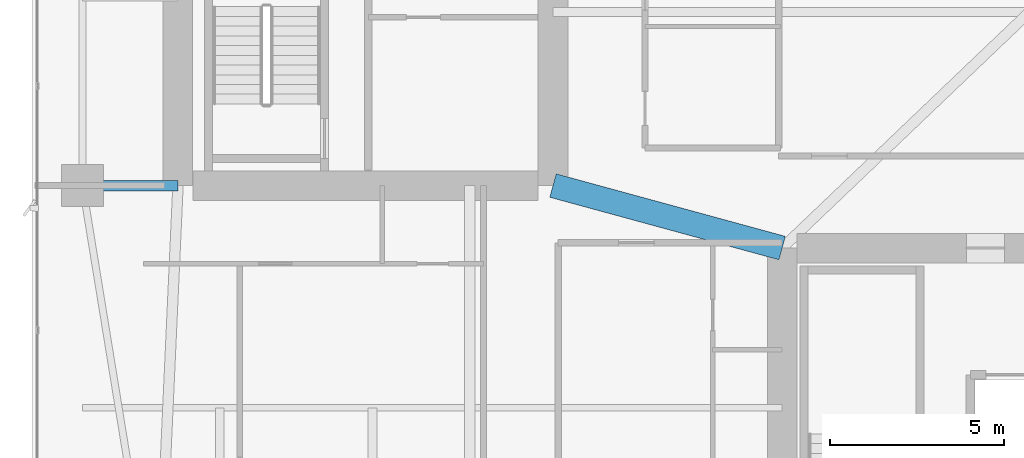
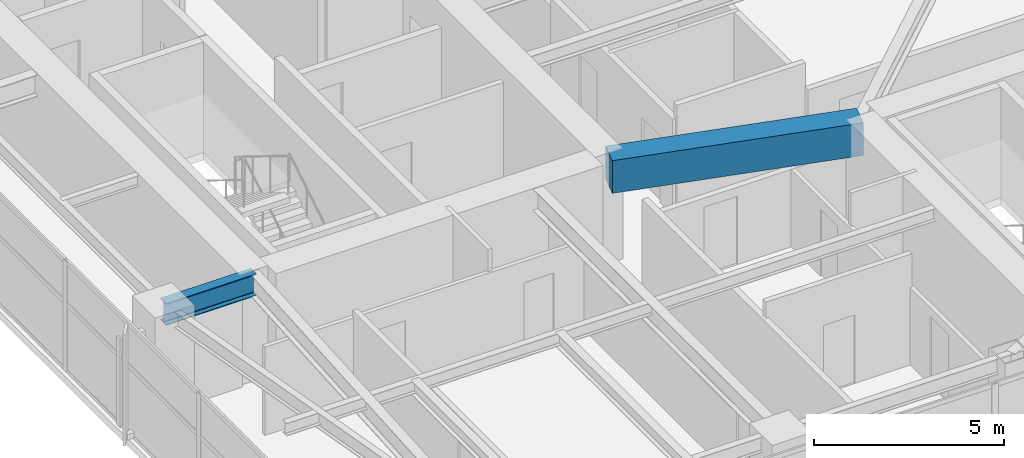
# One storey, part 7 of 28: 2 beams.
"""IFC4 building model written with IfcOpenShell, lengths in metres."""

from ifc_helpers import new_model, si_unit, direction, frame, origin, origin_2d, place, context, subcontext, project, spatial, rectangle, i_section, extrude, material, material_profile, profile_set, type_object, element, save


model = new_model("IFC4")

# Units and contexts
model_context = context("Model", 3, precision=1e-05, world=origin(), true_north=direction((0.0, 1.0)))
body_context = subcontext(model_context, "Body", "Model", "MODEL_VIEW")
ifc_project = project(units=[si_unit("LENGTHUNIT", "METRE"), si_unit("AREAUNIT", "SQUARE_METRE"), si_unit("VOLUMEUNIT", "CUBIC_METRE"), si_unit("PLANEANGLEUNIT", "RADIAN"), si_unit("MASSUNIT", "GRAM", prefix="KILO")], contexts=[model_context])

# Site, building, storey
site_placement = place(None, origin())
site = spatial("IfcSite", under=ifc_project, at=site_placement, CompositionType="ELEMENT")
building_placement = place(site_placement, origin())
building = spatial("IfcBuilding", under=site, at=building_placement, Name="Calvorn Quay Hotel", CompositionType="ELEMENT")
storey_placement = place(building_placement, frame((0.0, 0.0, 131.60009765625)))
storey = spatial("IfcBuildingStorey", under=building, at=storey_placement, Name="L32", CompositionType="ELEMENT", Elevation=131.60009765625)

# Beams
ifc_material_1 = material(Name="Steel Q390GJC", Category="steel")
ifc_material_profile_1 = material_profile(ifc_material_1, i_section(OverallWidth=0.300048828125, OverallDepth=0.699951171875, WebThickness=0.012939453125, FlangeThickness=0.02392578125, FilletRadius=0.02392578125, at=origin_2d()), Name="HN700x300x13x24")
ifc_profile_set_1 = profile_set([ifc_material_profile_1], Name="Steel Q390GJC")
beam_type_1 = type_object("IfcBeamType", Name="BM-GIRD-MAIN", PredefinedType="BEAM", material=ifc_profile_set_1)
beam_1_placement = place(storey_placement, frame((1.449951171875, 16.800048828125, 3.18994140625), z_axis=(1.0, 0.0, 0.0), x_axis=(0.0, 1.0, 0.0)))
element("IfcBeam", 1, at=beam_1_placement, inside=storey, type_object=beam_type_1, Name="Beam BG-L32-W1", PredefinedType="BEAM", context=body_context, shape_type="SweptSolid", body=[
    extrude(i_section(OverallWidth=0.300048828125, OverallDepth=0.699951171875, WebThickness=0.012939453125, FlangeThickness=0.02392578125, FilletRadius=0.02392578125, at=origin_2d()), origin(), (0.0, 0.0, 1.0), 2.75),
])
ifc_material_2 = material(Name="Concrete C50", Category="concrete")
ifc_material_profile_2 = material_profile(ifc_material_2, rectangle(XDim=0.699951171875, YDim=1.050048828125, at=origin_2d()), Name="RCB700x1050")
ifc_profile_set_2 = profile_set([ifc_material_profile_2], Name="Concrete C50")
beam_type_2 = type_object("IfcBeamType", Name="BM-RC-LINK-700x1050", PredefinedType="BEAM", material=ifc_profile_set_2)
beam_2_placement = place(storey_placement, frame((15.0, 16.800048828125, 3.014892578125), z_axis=(0.964762997686, -0.263120425462, 0.0), x_axis=(0.263120425462, 0.964762997686, 0.0)))
element("IfcBeam", 2, at=beam_2_placement, inside=storey, type_object=beam_type_2, Name="Beam BCL-L32-01", PredefinedType="BEAM", context=body_context, shape_type="SweptSolid", body=[
    extrude(rectangle(XDim=0.699951171875, YDim=1.050048828125, at=origin_2d()), origin(), (0.0, 0.0, 1.0), 6.841064453125),
])

save(model, "model.ifc")
